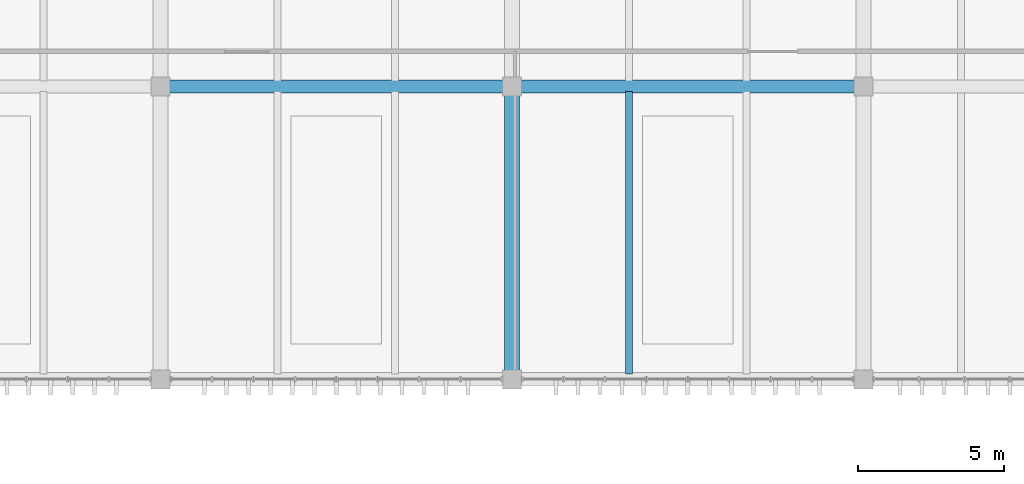
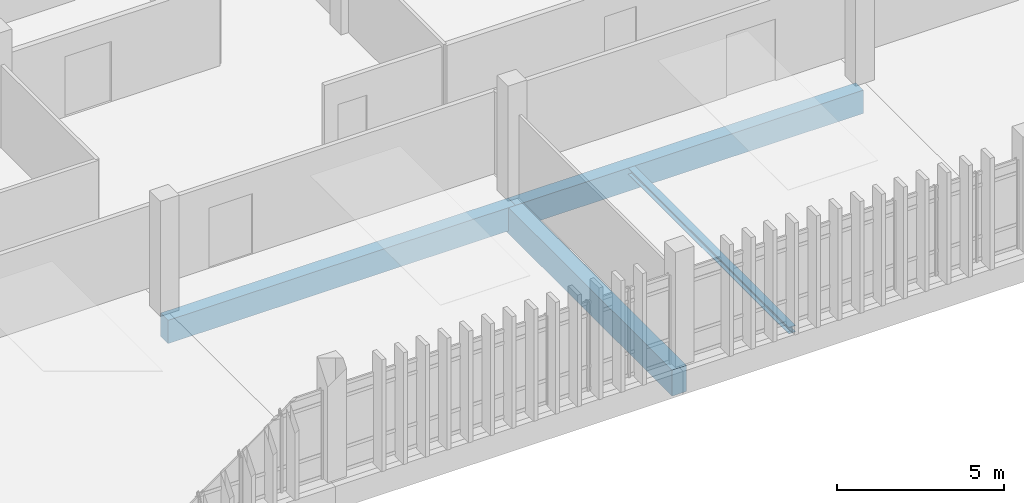
# One storey, part 20 of 82: 4 beams.
"""IFC4 building model written with IfcOpenShell, lengths in metres."""

from ifc_helpers import new_model, si_unit, direction, frame, origin, origin_2d, place, context, subcontext, project, spatial, rectangle, i_section, extrude, material, material_profile, profile_set, type_object, element, save


model = new_model("IFC4")

# Units and contexts
model_context = context("Model", 3, precision=1e-05, world=origin(), true_north=direction((0.0, 1.0)))
body_context = subcontext(model_context, "Body", "Model", "MODEL_VIEW")
ifc_project = project(units=[si_unit("LENGTHUNIT", "METRE"), si_unit("AREAUNIT", "SQUARE_METRE"), si_unit("VOLUMEUNIT", "CUBIC_METRE"), si_unit("PLANEANGLEUNIT", "RADIAN"), si_unit("MASSUNIT", "GRAM", prefix="KILO")], contexts=[model_context])

# Site, building, storey
site_placement = place(None, origin())
site = spatial("IfcSite", under=ifc_project, at=site_placement, CompositionType="ELEMENT")
building_placement = place(site_placement, origin())
building = spatial("IfcBuilding", under=site, at=building_placement, Name="Mersad Railyard Sports Hall", CompositionType="ELEMENT")
storey_placement = place(building_placement, frame((0.0, 0.0, 13.199951171875)))
storey = spatial("IfcBuildingStorey", under=building, at=storey_placement, Name="L03", CompositionType="ELEMENT", Elevation=13.199951171875)

# Beams
ifc_material_1 = material(Name="Concrete C40/50", Category="concrete")
ifc_material_profile_1 = material_profile(ifc_material_1, rectangle(XDim=0.449951171875, YDim=0.85009765625, at=origin_2d()), Name="RC 450x850")
ifc_profile_set_1 = profile_set([ifc_material_profile_1], Name="Concrete C40/50")
beam_type_1 = type_object("IfcBeamType", Name="STR-BM-B02", PredefinedType="BEAM", material=ifc_profile_set_1)
for number, where, z_axis, x_axis, name in (
    (1, (67.0, 95.0, -0.744873046875), (1.0, 0.0, 0.0), (0.0, 1.0, 0.0), "Beam B02-1222"),
    (2, (79.0, 95.0, -0.744873046875), (1.0, 0.0, 0.0), (0.0, 1.0, 0.0), "Beam B02-1223"),
):
    element("IfcBeam", number, at=place(storey_placement, frame(where, z_axis=z_axis, x_axis=x_axis)), inside=storey, type_object=beam_type_1, Name=name, PredefinedType="BEAM", context=body_context, shape_type="SweptSolid", body=[
        extrude(rectangle(XDim=0.449951171875, YDim=0.85009765625, at=origin_2d()), origin(), (0.0, 0.0, 1.0), 12.0),
    ])
ifc_material_2 = material(Name="Concrete C50/60", Category="concrete")
ifc_material_profile_2 = material_profile(ifc_material_2, rectangle(XDim=0.5, YDim=0.949951171875, at=origin_2d()), Name="RC 500x950")
ifc_profile_set_2 = profile_set([ifc_material_profile_2], Name="Concrete C50/60")
beam_type_2 = type_object("IfcBeamType", Name="STR-BM-B03", PredefinedType="BEAM", material=ifc_profile_set_2)
beam_1_placement = place(storey_placement, frame((79.0, 85.0, -0.794921875), z_axis=(0.0, 1.0, 0.0), x_axis=(-1.0, 0.0, 0.0)))
element("IfcBeam", 3, at=beam_1_placement, inside=storey, type_object=beam_type_2, Name="Beam B03-1253", PredefinedType="BEAM", context=body_context, shape_type="SweptSolid", body=[
    extrude(rectangle(XDim=0.5, YDim=0.949951171875, at=origin_2d()), origin(), (0.0, 0.0, 1.0), 10.0),
])
ifc_material_3 = material(Name="Steel S355", Category="steel")
ifc_material_profile_3 = material_profile(ifc_material_3, i_section(OverallWidth=0.239990234375, OverallDepth=0.239990234375, WebThickness=0.010009765625, FlangeThickness=0.01708984375, at=origin_2d()), Name="HEB 240")
ifc_profile_set_3 = profile_set([ifc_material_profile_3], Name="Steel S355")
beam_type_3 = type_object("IfcBeamType", Name="STR-BM-SB04", PredefinedType="BEAM", material=ifc_profile_set_3)
beam_2_placement = place(storey_placement, frame((83.0, 85.179931640625, -0.43994140625), z_axis=(0.0, 1.0, 0.0), x_axis=(-1.0, 0.0, 0.0)))
element("IfcBeam", 4, at=beam_2_placement, inside=storey, type_object=beam_type_3, Name="Beam SB04-1288", PredefinedType="BEAM", context=body_context, shape_type="SweptSolid", body=[
    extrude(i_section(OverallWidth=0.239990234375, OverallDepth=0.239990234375, WebThickness=0.010009765625, FlangeThickness=0.01708984375, at=origin_2d()), origin(), (0.0, 0.0, 1.0), 9.64013671875),
])

save(model, "model.ifc")
